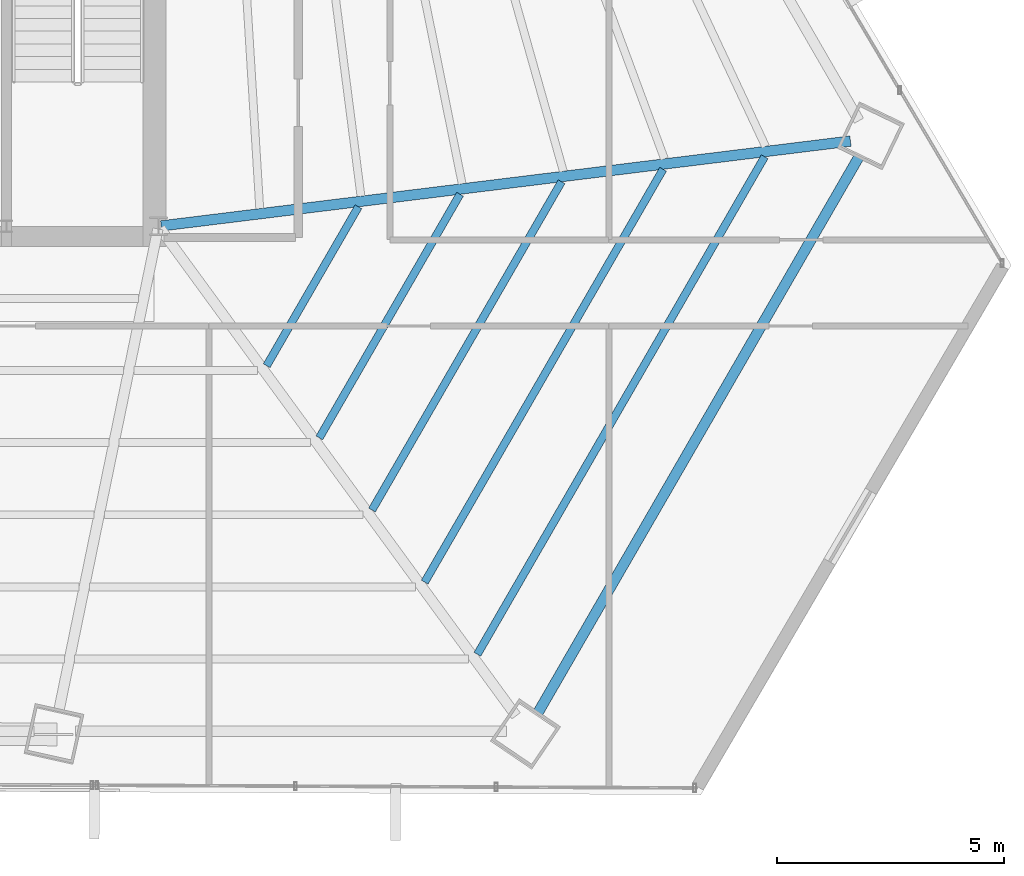
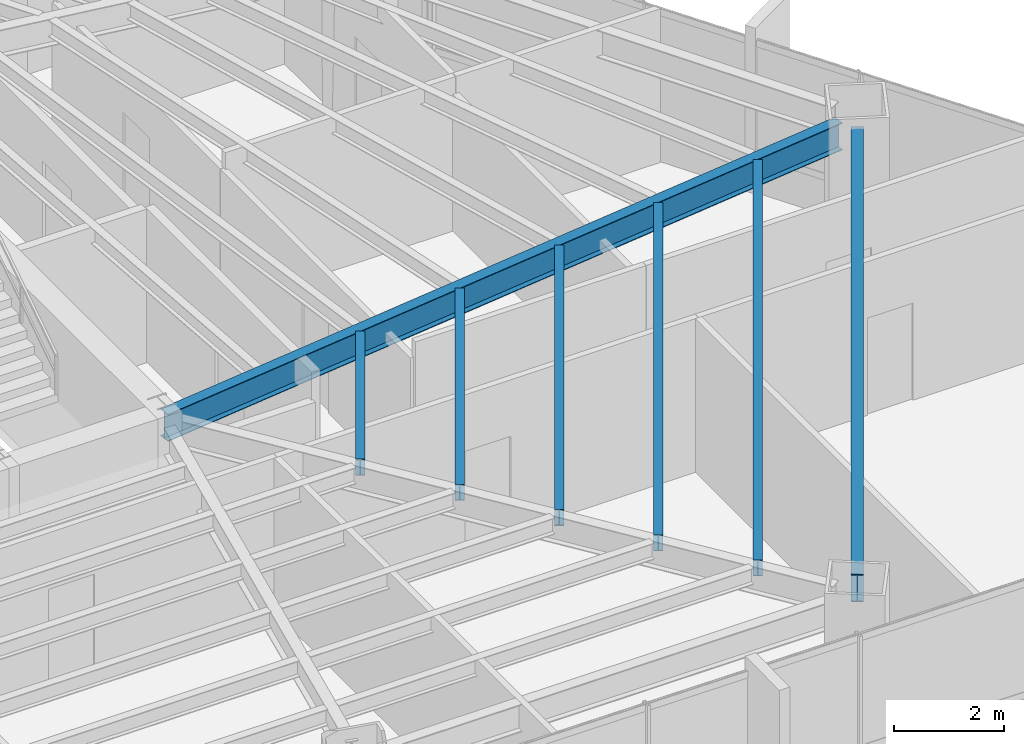
# One storey, part 19 of 35: 7 beams.
"""IFC4 building model written with IfcOpenShell, lengths in metres."""

from ifc_helpers import new_model, si_unit, direction, frame, origin, origin_2d, place, context, subcontext, project, spatial, i_section, extrude, source, transform, mapped, material, material_profile, profile_set, type_object, type_shapes, element, save


model = new_model("IFC4")

# Units and contexts
model_context = context("Model", 3, precision=1e-05, world=origin(), true_north=direction((0.0, 1.0)))
body_context = subcontext(model_context, "Body", "Model", "MODEL_VIEW")
ifc_project = project(units=[si_unit("LENGTHUNIT", "METRE"), si_unit("AREAUNIT", "SQUARE_METRE"), si_unit("VOLUMEUNIT", "CUBIC_METRE"), si_unit("PLANEANGLEUNIT", "RADIAN"), si_unit("MASSUNIT", "GRAM", prefix="KILO")], contexts=[model_context])

# Site, building, storey
site_placement = place(None, origin())
site = spatial("IfcSite", under=ifc_project, at=site_placement, CompositionType="ELEMENT")
building_placement = place(site_placement, origin())
building = spatial("IfcBuilding", under=site, at=building_placement, Name="Caelisora Broadcast Tower", CompositionType="ELEMENT")
storey_placement = place(building_placement, frame((0.0, 0.0, 98.10009765625)))
storey = spatial("IfcBuildingStorey", under=building, at=storey_placement, Name="L25", CompositionType="ELEMENT", Elevation=98.10009765625)

# Beams
ifc_material = material(Name="Steel Grade 350 (AS/NZS 3679.1)", Category="steel")
ifc_material_profile_1 = material_profile(ifc_material, i_section(OverallWidth=0.22900390625, OverallDepth=0.611572265625, WebThickness=0.011962890625, FlangeThickness=0.01953125, at=origin_2d()), Name="Steel Grade 350 (AS/NZS 3679.1)")
ifc_profile_set_1 = profile_set([ifc_material_profile_1], Name="Steel Grade 350 (AS/NZS 3679.1)")
beam_type_1 = type_object("IfcBeamType", Name="PG03", PredefinedType="BEAM", material=ifc_profile_set_1)
shared_shape_1 = source(origin(), body_context, "Body", "SweptSolid", [
    extrude(i_section(OverallWidth=0.22900390625, OverallDepth=0.611572265625, WebThickness=0.011962890625, FlangeThickness=0.01953125, at=origin_2d()), origin(), (0.0, 0.0, 1.0), 14.16064453125),
])
type_shapes(beam_type_1, [shared_shape_1])
beam_1_placement = place(storey_placement, frame((53.861083984375, 6.6669921875, 3.093994140625), z_axis=(0.500001533938, 0.866024518163, 0.0), x_axis=(-0.866024518163, 0.500001533938, 0.0)))
element("IfcBeam", 1, at=beam_1_placement, inside=storey, type_object=beam_type_1, Name="L25 beam PG03", PredefinedType="BEAM", context=body_context, shape_type="MappedRepresentation", body=[
    mapped(shared_shape_1, transform((0.0, 0.0, 0.0), scale=1.0)),
])
ifc_material_profile_2 = material_profile(ifc_material, i_section(OverallWidth=0.22802734375, OverallDepth=0.602294921875, WebThickness=0.010498046875, FlangeThickness=0.014892578125, at=origin_2d()), Name="Steel Grade 350 (AS/NZS 3679.1)")
ifc_profile_set_2 = profile_set([ifc_material_profile_2], Name="Steel Grade 350 (AS/NZS 3679.1)")
beam_type_2 = type_object("IfcBeamType", Name="PG04", PredefinedType="BEAM", material=ifc_profile_set_2)
shared_shape_2 = source(origin(), body_context, "Body", "SweptSolid", [
    extrude(i_section(OverallWidth=0.22802734375, OverallDepth=0.602294921875, WebThickness=0.010498046875, FlangeThickness=0.014892578125, at=origin_2d()), origin(), (0.0, 0.0, 1.0), 15.3095703125),
])
type_shapes(beam_type_2, [shared_shape_2])
beam_2_placement = place(storey_placement, frame((45.5595703125, 17.4072265625, 3.098876953125), z_axis=(0.992509196364, 0.122169943657, 0.0), x_axis=(-0.122169943657, 0.992509196364, 0.0)))
element("IfcBeam", 2, at=beam_2_placement, inside=storey, type_object=beam_type_2, Name="L25 beam PG04", PredefinedType="BEAM", context=body_context, shape_type="MappedRepresentation", body=[
    mapped(shared_shape_2, transform((0.0, 0.0, 0.0), scale=1.0)),
])
ifc_material_profile_3 = material_profile(ifc_material, i_section(OverallWidth=0.172119140625, OverallDepth=0.358642578125, WebThickness=0.008056640625, FlangeThickness=0.012939453125, at=origin_2d()), Name="Steel Grade 350 (AS/NZS 3679.1)")
ifc_profile_set_3 = profile_set([ifc_material_profile_3], Name="Steel Grade 350 (AS/NZS 3679.1)")
beam_type_3 = type_object("IfcBeamType", Name="SB02", PredefinedType="JOIST", material=ifc_profile_set_3)
shared_shape_3 = source(origin(), body_context, "Body", "SweptSolid", [
    extrude(i_section(OverallWidth=0.172119140625, OverallDepth=0.358642578125, WebThickness=0.008056640625, FlangeThickness=0.012939453125, at=origin_2d()), origin(), (0.0, 0.0, 1.0), 4.047607421875),
])
beam_3_placement = place(storey_placement, frame((47.8837890625, 14.324951171875, 3.220703125), z_axis=(0.500044432659, 0.865999749057, 0.0), x_axis=(-0.865999749057, 0.500044432659, 0.0)))
element("IfcBeam", 3, at=beam_3_placement, inside=storey, type_object=beam_type_3, Name="L25 beam SB02", PredefinedType="JOIST", context=body_context, shape_type="MappedRepresentation", body=[
    mapped(shared_shape_3, transform((0.0, 0.0, 0.0), scale=1.0)),
])
shared_shape_4 = source(origin(), body_context, "Body", "SweptSolid", [
    extrude(i_section(OverallWidth=0.172119140625, OverallDepth=0.358642578125, WebThickness=0.008056640625, FlangeThickness=0.012939453125, at=origin_2d()), origin(), (0.0, 0.0, 1.0), 6.201904296875),
])
beam_4_placement = place(storey_placement, frame((49.04541015625, 12.73486328125, 3.220703125), z_axis=(0.500025728196, 0.866010549094, 0.0), x_axis=(-0.866010549094, 0.500025728196, 0.0)))
element("IfcBeam", 4, at=beam_4_placement, inside=storey, type_object=beam_type_3, Name="L25 beam SB02", PredefinedType="JOIST", context=body_context, shape_type="MappedRepresentation", body=[
    mapped(shared_shape_4, transform((0.0, 0.0, 0.0), scale=1.0)),
])
shared_shape_5 = source(origin(), body_context, "Body", "SweptSolid", [
    extrude(i_section(OverallWidth=0.172119140625, OverallDepth=0.358642578125, WebThickness=0.008056640625, FlangeThickness=0.012939453125, at=origin_2d()), origin(), (0.0, 0.0, 1.0), 8.35595703125),
])
beam_5_placement = place(storey_placement, frame((50.20703125, 11.14453125, 3.220703125), z_axis=(0.499994755589, 0.866028431625, 0.0), x_axis=(-0.866028431625, 0.499994755589, 0.0)))
element("IfcBeam", 5, at=beam_5_placement, inside=storey, type_object=beam_type_3, Name="L25 beam SB02", PredefinedType="JOIST", context=body_context, shape_type="MappedRepresentation", body=[
    mapped(shared_shape_5, transform((0.0, 0.0, 0.0), scale=1.0)),
])
shared_shape_6 = source(origin(), body_context, "Body", "SweptSolid", [
    extrude(i_section(OverallWidth=0.172119140625, OverallDepth=0.358642578125, WebThickness=0.008056640625, FlangeThickness=0.012939453125, at=origin_2d()), origin(), (0.0, 0.0, 1.0), 10.51025390625),
])
beam_6_placement = place(storey_placement, frame((51.36865234375, 9.554443359375, 3.220703125), z_axis=(0.500003959331, 0.866023117852, 0.0), x_axis=(-0.866023117852, 0.500003959331, 0.0)))
element("IfcBeam", 6, at=beam_6_placement, inside=storey, type_object=beam_type_3, Name="L25 beam SB02", PredefinedType="JOIST", context=body_context, shape_type="MappedRepresentation", body=[
    mapped(shared_shape_6, transform((0.0, 0.0, 0.0), scale=1.0)),
])
shared_shape_7 = source(origin(), body_context, "Body", "SweptSolid", [
    extrude(i_section(OverallWidth=0.172119140625, OverallDepth=0.358642578125, WebThickness=0.008056640625, FlangeThickness=0.012939453125, at=origin_2d()), origin(), (0.0, 0.0, 1.0), 12.664794921875),
])
type_shapes(beam_type_3, [shared_shape_3, shared_shape_4, shared_shape_5, shared_shape_6, shared_shape_7])
beam_7_placement = place(storey_placement, frame((52.5302734375, 7.964111328125, 3.220703125), z_axis=(0.49999333715, 0.866029250548, 0.0), x_axis=(-0.866029250548, 0.49999333715, 0.0)))
element("IfcBeam", 7, at=beam_7_placement, inside=storey, type_object=beam_type_3, Name="L25 beam SB02", PredefinedType="JOIST", context=body_context, shape_type="MappedRepresentation", body=[
    mapped(shared_shape_7, transform((0.0, 0.0, 0.0), scale=1.0)),
])

save(model, "model.ifc")
